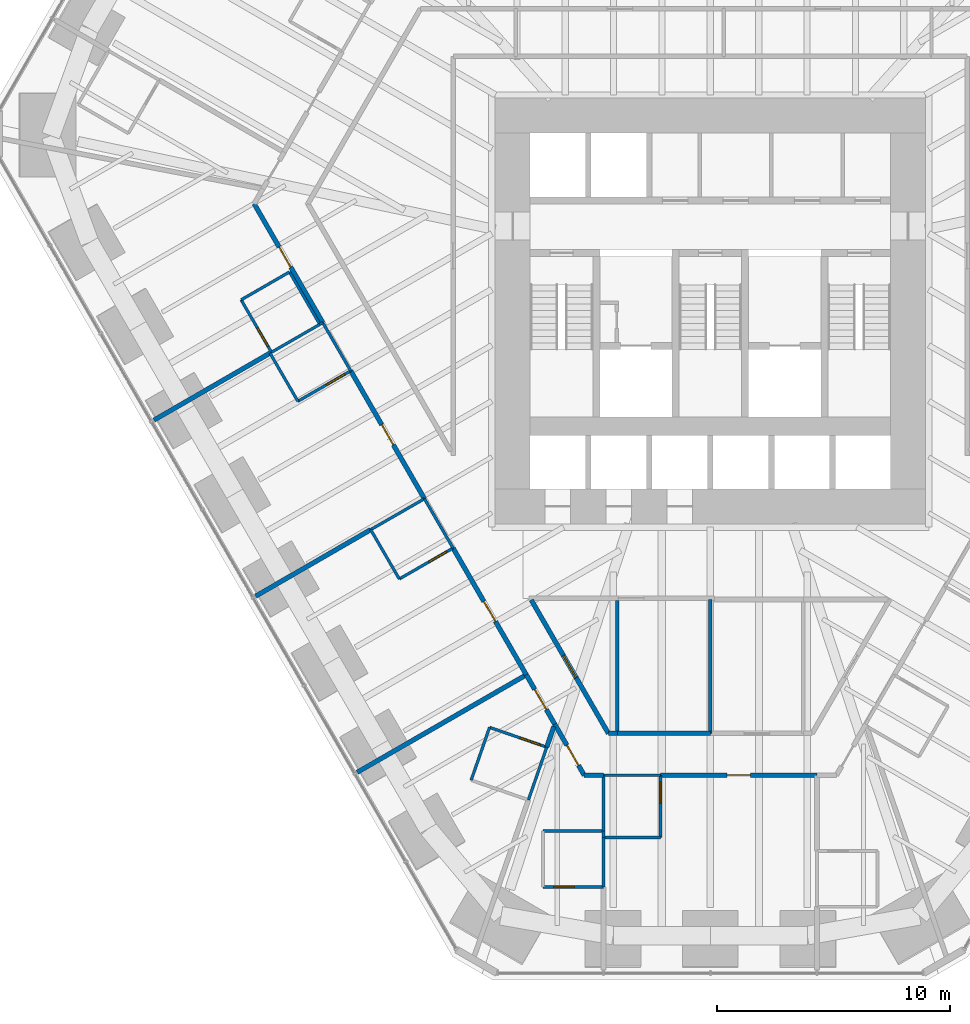
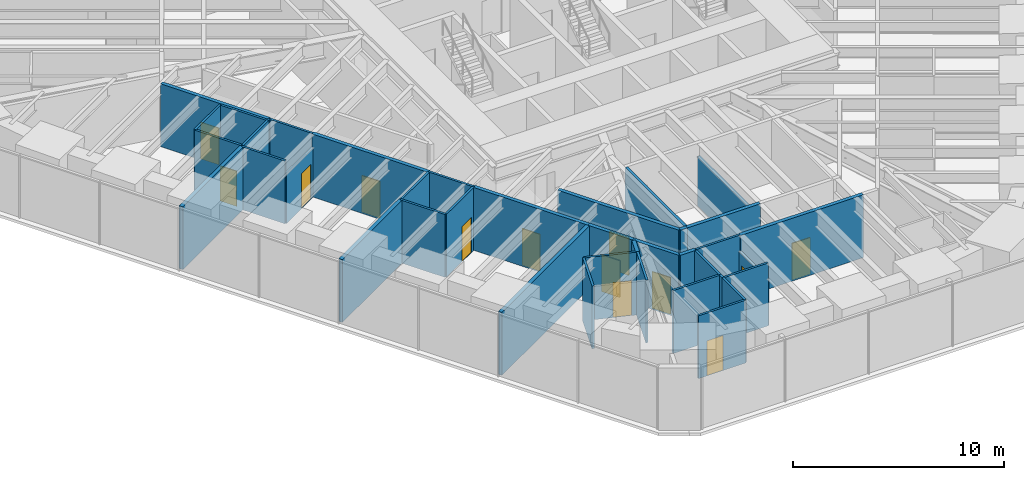
# One storey, part 11 of 17: 39 walls, 13 doors, 13 openings.
"""IFC4 building model written with IfcOpenShell, lengths in metres."""

from ifc_helpers import new_model, si_unit, direction, frame, frame_2d, origin, place, context, subcontext, project, spatial, rectangle, extrude, material, layer, layer_set, type_object, element, fill, save


model = new_model("IFC4")

# Units and contexts
model_context = context("Model", 3, precision=1e-05, world=origin(), true_north=direction((0.0, 1.0)))
body_context = subcontext(model_context, "Body", "Model", "MODEL_VIEW")
ifc_project = project(units=[si_unit("LENGTHUNIT", "METRE"), si_unit("AREAUNIT", "SQUARE_METRE"), si_unit("VOLUMEUNIT", "CUBIC_METRE"), si_unit("PLANEANGLEUNIT", "RADIAN"), si_unit("MASSUNIT", "GRAM", prefix="KILO")], contexts=[model_context])

# Site, building, storey
site_placement = place(None, origin())
site = spatial("IfcSite", under=ifc_project, at=site_placement, CompositionType="ELEMENT")
building_placement = place(site_placement, origin())
building = spatial("IfcBuilding", under=site, at=building_placement, Name="Sandreach Pilgrim Tower", CompositionType="ELEMENT")
storey_placement = place(building_placement, frame((0.0, 0.0, 61.0)))
storey = spatial("IfcBuildingStorey", under=building, at=storey_placement, Name="L14", CompositionType="ELEMENT", Elevation=61.0)

# Walls
ifc_material_1 = material(Name="Gypsum board on steel studs", Category="steel")
ifc_layer_1 = layer(ifc_material_1, 0.14990234375)
ifc_layer_set_1 = layer_set([ifc_layer_1], Name="Back of house wall 150")
wall_type_1 = type_object("IfcWallType", Name="Back of house wall 150", PredefinedType="PARTITIONING", material=ifc_layer_set_1)
wall_1_placement = place(storey_placement, frame((-4.0, -14.0, 0.0), z_axis=(0.0, 0.0, 1.0), x_axis=(0.0, -1.0, 0.0)))
element("IfcWall", 1, at=wall_1_placement, inside=storey, type_object=wall_type_1, Name="Back of house wall L14-078", PredefinedType="PARTITIONING", context=body_context, shape_type="SweptSolid", body=[
    extrude(rectangle(XDim=5.7099609375, YDim=0.14990234375, at=frame_2d((2.85498046875, 0.0))), origin(), (0.0, 0.0, 1.0), 3.639892578125),
])
wall_2_placement = place(storey_placement, frame((0.0, -13.949951171875, 0.0), z_axis=(0.0, 0.0, 1.0), x_axis=(0.0, -1.0, 0.0)))
element("IfcWall", 2, at=wall_2_placement, inside=storey, type_object=wall_type_1, Name="Back of house wall L14-086", PredefinedType="PARTITIONING", context=body_context, shape_type="SweptSolid", body=[
    extrude(rectangle(XDim=5.760009765625, YDim=0.14990234375, at=frame_2d((2.8798828125, 0.0))), origin(), (0.0, 0.0, 1.0), 2.860107421875),
])

# Wall, opening, door
ifc_material_2 = material(Name="Moisture-resistant gypsum board on steel studs", Category="steel")
ifc_layer_2 = layer(ifc_material_2, 0.1201171875)
ifc_layer_set_2 = layer_set([ifc_layer_2], Name="Bathroom partition 120")
wall_type_2 = type_object("IfcWallType", Name="Bathroom partition 120", PredefinedType="PARTITIONING", material=ifc_layer_set_2)
wall_3_placement = place(storey_placement, frame((-20.169921875, -1.070068359375, 0.0), z_axis=(0.0, 0.0, 1.0), x_axis=(0.500291685314, -0.865856933682, 0.0)))
wall_3 = element("IfcWall", 3, at=wall_3_placement, inside=storey, type_object=wall_type_2, Name="Bathroom partition L14-011", PredefinedType="PARTITIONING", context=body_context, shape_type="SweptSolid", body=[
    extrude(rectangle(XDim=2.5986328125, YDim=0.1201171875, at=frame_2d((1.29931640625, 0.0))), origin(), (0.0, 0.0, 1.0), 3.639892578125),
])
opening_1_placement = place(wall_3_placement, frame((1.398681640625, 0.0, 0.0)))
opening_1 = element("IfcOpeningElement", 4, at=opening_1_placement, cuts=wall_3, Name="Opening D09-17B", PredefinedType="OPENING", context=body_context, shape_type="SweptSolid", body=[
    extrude(rectangle(XDim=0.89990234375, YDim=2.030029296875, at=frame_2d((0.449951171875, 1.01513671875))), frame((0.0, 0.06005859375, 0.0), z_axis=(0.0, -1.0, 0.0), x_axis=(1.0, 0.0, 0.0)), (0.0, 0.0, 1.0), 0.1201171875),
])
ifc_material_3 = material(Name="Timber door, steel frame", Category="steel")
door_type_1 = type_object("IfcDoorType", Name="Bathroom door", OperationType="SINGLE_SWING_LEFT", PredefinedType="DOOR", material=ifc_material_3)
door_1_placement = place(opening_1_placement, origin())
door_1 = element("IfcDoor", 5, at=door_1_placement, inside=storey, type_object=door_type_1, Name="Door 1417B", OperationType="SINGLE_SWING_RIGHT", OverallHeight=2.030029296875, OverallWidth=0.89990234375, PredefinedType="DOOR", context=body_context, shape_type="SweptSolid", body=[
    extrude(rectangle(XDim=0.89990234375, YDim=2.030029296875, at=frame_2d((0.449951171875, 1.01513671875))), frame((0.0, 0.02490234375, 0.0), z_axis=(0.0, -1.0, 0.0), x_axis=(1.0, 0.0, 0.0)), (0.0, 0.0, 1.0), 0.050048828125),
])
fill(opening_1, door_1)

# Walls
wall_4_placement = place(storey_placement, frame((-18.929931640625, -3.360107421875, 0.0), z_axis=(0.0, 0.0, 1.0), x_axis=(0.501547039172, -0.865130376012, 0.0)))
element("IfcWall", 6, at=wall_4_placement, inside=storey, type_object=wall_type_2, Name="Bathroom partition L14-015", PredefinedType="PARTITIONING", context=body_context, shape_type="SweptSolid", body=[
    extrude(rectangle(XDim=2.392578125, YDim=0.1201171875, at=frame_2d((1.1962890625, 0.0))), origin(), (0.0, 0.0, 1.0), 3.639892578125),
])
wall_5_placement = place(storey_placement, frame((-18.86767578125, -3.323974609375, 0.0), z_axis=(0.0, 0.0, 1.0), x_axis=(0.866133109688, 0.499813401482, 0.0)))
element("IfcWall", 7, at=wall_5_placement, inside=storey, type_object=wall_type_2, Name="Bathroom partition L14-016", PredefinedType="PARTITIONING", context=body_context, shape_type="SweptSolid", body=[
    extrude(rectangle(XDim=2.4013671875, YDim=0.1201171875, at=frame_2d((1.20068359375, 0.0))), origin(), (0.0, 0.0, 1.0), 3.639892578125),
])
wall_6_placement = place(storey_placement, frame((-18.090087890625, 0.1298828125, 0.0), z_axis=(0.0, 0.0, 1.0), x_axis=(-0.866177122335, -0.499737123639, 0.0)))
element("IfcWall", 8, at=wall_6_placement, inside=storey, type_object=wall_type_2, Name="Bathroom partition L14-019", PredefinedType="PARTITIONING", context=body_context, shape_type="SweptSolid", body=[
    extrude(rectangle(XDim=2.401123046875, YDim=0.1201171875, at=frame_2d((1.20068359375, 0.0))), origin(), (0.0, 0.0, 1.0), 3.639892578125),
])

# Wall, opening, door
wall_7_placement = place(storey_placement, frame((-17.72998046875, -5.429931640625, 0.0), z_axis=(0.0, 0.0, 1.0), x_axis=(0.866114241029, 0.499846097802, 0.0)))
wall_7 = element("IfcWall", 9, at=wall_7_placement, inside=storey, type_object=wall_type_2, Name="Bathroom partition L14-021", PredefinedType="PARTITIONING", context=body_context, shape_type="SweptSolid", body=[
    extrude(rectangle(XDim=2.620849609375, YDim=0.1201171875, at=frame_2d((1.310546875, 0.0))), origin(), (0.0, 0.0, 1.0), 2.8779296875),
])
opening_2_placement = place(wall_7_placement, frame((1.4208984375, 0.0, 0.0)))
opening_2 = element("IfcOpeningElement", 10, at=opening_2_placement, cuts=wall_7, Name="Opening D09-16B", PredefinedType="OPENING", context=body_context, shape_type="SweptSolid", body=[
    extrude(rectangle(XDim=0.89990234375, YDim=2.030029296875, at=frame_2d((0.449951171875, 1.01513671875))), frame((0.0, 0.06005859375, 0.0), z_axis=(0.0, -1.0, 0.0), x_axis=(1.0, 0.0, 0.0)), (0.0, 0.0, 1.0), 0.1201171875),
])
door_2_placement = place(opening_2_placement, origin())
door_2 = element("IfcDoor", 11, at=door_2_placement, inside=storey, type_object=door_type_1, Name="Door 1416B", OperationType="SINGLE_SWING_RIGHT", OverallHeight=2.030029296875, OverallWidth=0.89990234375, PredefinedType="DOOR", context=body_context, shape_type="SweptSolid", body=[
    extrude(rectangle(XDim=0.89990234375, YDim=2.030029296875, at=frame_2d((0.449951171875, 1.01513671875))), frame((0.0, 0.02490234375, 0.0), z_axis=(0.0, -1.0, 0.0), x_axis=(1.0, 0.0, 0.0)), (0.0, 0.0, 1.0), 0.050048828125),
])
fill(opening_2, door_2)

# Walls
wall_8_placement = place(storey_placement, frame((-16.7900390625, -2.1201171875, 0.0), z_axis=(0.0, 0.0, 1.0), x_axis=(-0.50025099007, 0.865880446098, 0.0)))
element("IfcWall", 12, at=wall_8_placement, inside=storey, type_object=wall_type_2, Name="Bathroom partition L14-026", PredefinedType="PARTITIONING", context=body_context, shape_type="SweptSolid", body=[
    extrude(rectangle(XDim=2.598876953125, YDim=0.1201171875, at=frame_2d((1.29931640625, 0.0))), origin(), (0.0, 0.0, 1.0), 3.639892578125),
])
wall_9_placement = place(storey_placement, frame((-16.787841796875, -2.123779296875, 0.0), z_axis=(0.0, 0.0, 1.0), x_axis=(0.866405716731, 0.499340699338, 0.0)))
element("IfcWall", 13, at=wall_9_placement, inside=storey, type_object=wall_type_2, Name="Bathroom partition L14-027", PredefinedType="PARTITIONING", context=body_context, shape_type="SweptSolid", body=[
    extrude(rectangle(XDim=0.147705078125, YDim=0.1201171875, at=frame_2d((0.07373046875, 0.0))), origin(), (0.0, 0.0, 1.0), 3.639892578125),
])
wall_10_placement = place(storey_placement, frame((-16.659912109375, -2.050048828125, 0.0), z_axis=(0.0, 0.0, 1.0), x_axis=(0.501502765098, -0.865156041763, 0.0)))
element("IfcWall", 14, at=wall_10_placement, inside=storey, type_object=wall_type_2, Name="Bathroom partition L14-028", PredefinedType="PARTITIONING", context=body_context, shape_type="SweptSolid", body=[
    extrude(rectangle(XDim=2.392822265625, YDim=0.1201171875, at=frame_2d((1.1962890625, 0.0))), origin(), (0.0, 0.0, 1.0), 3.639892578125),
])
wall_11_placement = place(storey_placement, frame((-14.60009765625, -10.949951171875, 0.0), z_axis=(0.0, 0.0, 1.0), x_axis=(0.501888006485, -0.864932615264, 0.0)))
element("IfcWall", 15, at=wall_11_placement, inside=storey, type_object=wall_type_2, Name="Bathroom partition L14-036", PredefinedType="PARTITIONING", context=body_context, shape_type="SweptSolid", body=[
    extrude(rectangle(XDim=2.451171875, YDim=0.1201171875, at=frame_2d((1.2255859375, 0.0))), origin(), (0.0, 0.0, 1.0), 3.639892578125),
])
wall_12_placement = place(storey_placement, frame((-14.60009765625, -10.949951171875, 0.0), z_axis=(0.0, 0.0, 1.0), x_axis=(0.866654860089, 0.498908161372, 0.0)))
element("IfcWall", 16, at=wall_12_placement, inside=storey, type_object=wall_type_2, Name="Bathroom partition L14-037", PredefinedType="PARTITIONING", context=body_context, shape_type="SweptSolid", body=[
    extrude(rectangle(XDim=2.66552734375, YDim=0.1201171875, at=frame_2d((1.332763671875, 0.0))), origin(), (0.0, 0.0, 1.0), 3.639892578125),
])

# Wall, opening, door
wall_13_placement = place(storey_placement, frame((-13.3701171875, -13.070068359375, 0.0), z_axis=(0.0, 0.0, 1.0), x_axis=(0.866615255992, 0.498976951453, 0.0)))
wall_13 = element("IfcWall", 17, at=wall_13_placement, inside=storey, type_object=wall_type_2, Name="Bathroom partition L14-040", PredefinedType="PARTITIONING", context=body_context, shape_type="SweptSolid", body=[
    extrude(rectangle(XDim=2.66552734375, YDim=0.1201171875, at=frame_2d((1.332763671875, 0.0))), origin(), (0.0, 0.0, 1.0), 3.639892578125),
])
opening_3_placement = place(wall_13_placement, frame((1.465576171875, 0.0, 0.0)))
opening_3 = element("IfcOpeningElement", 18, at=opening_3_placement, cuts=wall_13, Name="Opening D09-15B", PredefinedType="OPENING", context=body_context, shape_type="SweptSolid", body=[
    extrude(rectangle(XDim=0.89990234375, YDim=2.030029296875, at=frame_2d((0.449951171875, 1.01513671875))), frame((0.0, 0.06005859375, 0.0), z_axis=(0.0, -1.0, 0.0), x_axis=(1.0, 0.0, 0.0)), (0.0, 0.0, 1.0), 0.1201171875),
])
door_3_placement = place(opening_3_placement, origin())
door_3 = element("IfcDoor", 19, at=door_3_placement, inside=storey, type_object=door_type_1, Name="Door 1415B", OperationType="SINGLE_SWING_RIGHT", OverallHeight=2.030029296875, OverallWidth=0.89990234375, PredefinedType="DOOR", context=body_context, shape_type="SweptSolid", body=[
    extrude(rectangle(XDim=0.89990234375, YDim=2.030029296875, at=frame_2d((0.449951171875, 1.01513671875))), frame((0.0, 0.02490234375, 0.0), z_axis=(0.0, -1.0, 0.0), x_axis=(1.0, 0.0, 0.0)), (0.0, 0.0, 1.0), 0.050048828125),
])
fill(opening_3, door_3)

# Walls
wall_14_placement = place(storey_placement, frame((-12.290283203125, -9.6201171875, 0.0), z_axis=(0.0, 0.0, 1.0), x_axis=(0.501931246184, -0.864907523441, 0.0)))
element("IfcWall", 20, at=wall_14_placement, inside=storey, type_object=wall_type_2, Name="Bathroom partition L14-044", PredefinedType="PARTITIONING", context=body_context, shape_type="SweptSolid", body=[
    extrude(rectangle(XDim=2.450927734375, YDim=0.1201171875, at=frame_2d((1.2255859375, 0.0))), origin(), (0.0, 0.0, 1.0), 3.639892578125),
])
for number, where, z_axis, x_axis, name in (
    (21, (-9.489990234375, -19.449951171875, 0.0), (0.0, 0.0, 1.0), (-0.328693963496, -0.944436487203, 0.0), "Bathroom partition L14-053"),
    (22, (-7.820068359375, -22.570068359375, 0.0), (0.0, 0.0, 1.0), (0.328693963496, 0.944436487203, 0.0), "Bathroom partition L14-060"),
):
    element("IfcWall", number, at=place(storey_placement, frame(where, z_axis=z_axis, x_axis=x_axis)), inside=storey, type_object=wall_type_2, Name=name, PredefinedType="PARTITIONING", context=body_context, shape_type="SweptSolid", body=[
        extrude(rectangle(XDim=2.403564453125, YDim=0.1201171875, at=frame_2d((1.20166015625, 0.0))), origin(), (0.0, 0.0, 1.0), 3.639892578125),
    ])

# Wall, opening, door
wall_15_placement = place(storey_placement, frame((-7.18994140625, -26.31005859375, 0.0), z_axis=(0.0, 0.0, 1.0), x_axis=(1.0, 0.0, 0.0)))
wall_15 = element("IfcWall", 23, at=wall_15_placement, inside=storey, type_object=wall_type_2, Name="Bathroom partition L14-061", PredefinedType="PARTITIONING", context=body_context, shape_type="SweptSolid", body=[
    extrude(rectangle(XDim=2.599853515625, YDim=0.1201171875, at=frame_2d((1.2998046875, 0.0))), origin(), (0.0, 0.0, 1.0), 3.639892578125),
])
opening_4_placement = place(wall_15_placement, frame((0.449951171875, 0.0, 0.0)))
opening_4 = element("IfcOpeningElement", 24, at=opening_4_placement, cuts=wall_15, Name="Opening D09-13B", PredefinedType="OPENING", context=body_context, shape_type="SweptSolid", body=[
    extrude(rectangle(XDim=0.89990234375, YDim=2.030029296875, at=frame_2d((0.449951171875, 1.01513671875))), frame((0.0, 0.06005859375, 0.0), z_axis=(0.0, -1.0, 0.0), x_axis=(1.0, 0.0, 0.0)), (0.0, 0.0, 1.0), 0.1201171875),
])
door_4_placement = place(opening_4_placement, origin())
door_4 = element("IfcDoor", 25, at=door_4_placement, inside=storey, type_object=door_type_1, Name="Door 1413B", OperationType="SINGLE_SWING_LEFT", OverallHeight=2.030029296875, OverallWidth=0.89990234375, PredefinedType="DOOR", context=body_context, shape_type="SweptSolid", body=[
    extrude(rectangle(XDim=0.89990234375, YDim=2.030029296875, at=frame_2d((0.449951171875, 1.01513671875))), frame((0.0, 0.02490234375, 0.0), z_axis=(0.0, -1.0, 0.0), x_axis=(1.0, 0.0, 0.0)), (0.0, 0.0, 1.0), 0.050048828125),
])
fill(opening_4, door_4)

wall_16_placement = place(storey_placement, frame((-7.030029296875, -20.300048828125, 0.0), z_axis=(0.0, 0.0, 1.0), x_axis=(-0.94515546045, 0.326620813149, 0.0)))
wall_16 = element("IfcWall", 26, at=wall_16_placement, inside=storey, type_object=wall_type_2, Name="Bathroom partition L14-063", PredefinedType="PARTITIONING", context=body_context, shape_type="SweptSolid", body=[
    extrude(rectangle(XDim=2.602783203125, YDim=0.1201171875, at=frame_2d((1.30126953125, 0.0))), origin(), (0.0, 0.0, 1.0), 3.639892578125),
])
opening_5_placement = place(wall_16_placement, frame((0.300048828125, 0.0, 0.0)))
opening_5 = element("IfcOpeningElement", 27, at=opening_5_placement, cuts=wall_16, Name="Opening D09-14B", PredefinedType="OPENING", context=body_context, shape_type="SweptSolid", body=[
    extrude(rectangle(XDim=0.89990234375, YDim=2.030029296875, at=frame_2d((0.449951171875, 1.01513671875))), frame((0.0, 0.06005859375, 0.0), z_axis=(0.0, -1.0, 0.0), x_axis=(1.0, 0.0, 0.0)), (0.0, 0.0, 1.0), 0.1201171875),
])
door_5_placement = place(opening_5_placement, origin())
door_5 = element("IfcDoor", 28, at=door_5_placement, inside=storey, type_object=door_type_1, Name="Door 1414B", OperationType="SINGLE_SWING_LEFT", OverallHeight=2.030029296875, OverallWidth=0.89990234375, PredefinedType="DOOR", context=body_context, shape_type="SweptSolid", body=[
    extrude(rectangle(XDim=0.89990234375, YDim=2.030029296875, at=frame_2d((0.449951171875, 1.01513671875))), frame((0.0, 0.02490234375, 0.0), z_axis=(0.0, -1.0, 0.0), x_axis=(1.0, 0.0, 0.0)), (0.0, 0.0, 1.0), 0.050048828125),
])
fill(opening_5, door_5)

# Walls
wall_17_placement = place(storey_placement, frame((-4.590087890625, -26.31005859375, 0.0), z_axis=(0.0, 0.0, 1.0), x_axis=(0.0, 1.0, 0.0)))
element("IfcWall", 29, at=wall_17_placement, inside=storey, type_object=wall_type_2, Name="Bathroom partition L14-070", PredefinedType="PARTITIONING", context=body_context, shape_type="SweptSolid", body=[
    extrude(rectangle(XDim=2.130126953125, YDim=0.1201171875, at=frame_2d((1.06494140625, 0.0))), origin(), (0.0, 0.0, 1.0), 3.639892578125),
])
wall_18_placement = place(storey_placement, frame((-4.590087890625, -24.179931640625, 0.0), z_axis=(0.0, 0.0, 1.0), x_axis=(0.0, 1.0, 0.0)))
element("IfcWall", 30, at=wall_18_placement, inside=storey, type_object=wall_type_2, Name="Bathroom partition L14-071", PredefinedType="PARTITIONING", context=body_context, shape_type="SweptSolid", body=[
    extrude(rectangle(XDim=0.27001953125, YDim=0.1201171875, at=frame_2d((0.135009765625, 0.0))), origin(), (0.0, 0.0, 1.0), 3.639892578125),
])
wall_19_placement = place(storey_placement, frame((-4.590087890625, -24.179931640625, 0.0), z_axis=(0.0, 0.0, 1.0), x_axis=(1.0, 0.0, 0.0)))
element("IfcWall", 31, at=wall_19_placement, inside=storey, type_object=wall_type_2, Name="Bathroom partition L14-072", PredefinedType="PARTITIONING", context=body_context, shape_type="SweptSolid", body=[
    extrude(rectangle(XDim=2.4501953125, YDim=0.1201171875, at=frame_2d((1.22509765625, 0.0))), origin(), (0.0, 0.0, 1.0), 3.639892578125),
])
wall_20_placement = place(storey_placement, frame((-4.590087890625, -23.909912109375, 0.0), z_axis=(0.0, 0.0, 1.0), x_axis=(-1.0, 0.0, 0.0)))
element("IfcWall", 32, at=wall_20_placement, inside=storey, type_object=wall_type_2, Name="Bathroom partition L14-073", PredefinedType="PARTITIONING", context=body_context, shape_type="SweptSolid", body=[
    extrude(rectangle(XDim=2.599853515625, YDim=0.1201171875, at=frame_2d((1.2998046875, 0.0))), origin(), (0.0, 0.0, 1.0), 3.639892578125),
])
wall_21_placement = place(storey_placement, frame((-4.590087890625, -23.909912109375, 0.0), z_axis=(0.0, 0.0, 1.0), x_axis=(0.0, 1.0, 0.0)))
element("IfcWall", 33, at=wall_21_placement, inside=storey, type_object=wall_type_2, Name="Bathroom partition L14-074", PredefinedType="PARTITIONING", context=body_context, shape_type="SweptSolid", body=[
    extrude(rectangle(XDim=2.39990234375, YDim=0.1201171875, at=frame_2d((1.199951171875, 0.0))), origin(), (0.0, 0.0, 1.0), 3.639892578125),
])
wall_22_placement = place(storey_placement, frame((-4.590087890625, -21.510009765625, 0.0), z_axis=(0.0, 0.0, 1.0), x_axis=(1.0, 0.0, 0.0)))
element("IfcWall", 34, at=wall_22_placement, inside=storey, type_object=wall_type_2, Name="Bathroom partition L14-075", PredefinedType="PARTITIONING", context=body_context, shape_type="SweptSolid", body=[
    extrude(rectangle(XDim=2.4501953125, YDim=0.1201171875, at=frame_2d((1.22509765625, 0.0))), origin(), (0.0, 0.0, 1.0), 3.639892578125),
])

# Wall, opening, door
wall_23_placement = place(storey_placement, frame((-2.139892578125, -24.179931640625, 0.0), z_axis=(0.0, 0.0, 1.0), x_axis=(0.0, 1.0, 0.0)))
wall_23 = element("IfcWall", 35, at=wall_23_placement, inside=storey, type_object=wall_type_2, Name="Bathroom partition L14-083", PredefinedType="PARTITIONING", context=body_context, shape_type="SweptSolid", body=[
    extrude(rectangle(XDim=2.669921875, YDim=0.1201171875, at=frame_2d((1.3349609375, 0.0))), origin(), (0.0, 0.0, 1.0), 2.7255859375),
])
opening_6_placement = place(wall_23_placement, frame((1.469970703125, 0.0, 0.0)))
opening_6 = element("IfcOpeningElement", 36, at=opening_6_placement, cuts=wall_23, Name="Opening D09-12B", PredefinedType="OPENING", context=body_context, shape_type="SweptSolid", body=[
    extrude(rectangle(XDim=0.89990234375, YDim=2.030029296875, at=frame_2d((0.449951171875, 1.01513671875))), frame((0.0, 0.06005859375, 0.0), z_axis=(0.0, -1.0, 0.0), x_axis=(1.0, 0.0, 0.0)), (0.0, 0.0, 1.0), 0.1201171875),
])
door_6_placement = place(opening_6_placement, origin())
door_6 = element("IfcDoor", 37, at=door_6_placement, inside=storey, type_object=door_type_1, Name="Door 1412B", OperationType="SINGLE_SWING_RIGHT", OverallHeight=2.030029296875, OverallWidth=0.89990234375, PredefinedType="DOOR", context=body_context, shape_type="SweptSolid", body=[
    extrude(rectangle(XDim=0.89990234375, YDim=2.030029296875, at=frame_2d((0.449951171875, 1.01513671875))), frame((0.0, 0.02490234375, 0.0), z_axis=(0.0, -1.0, 0.0), x_axis=(1.0, 0.0, 0.0)), (0.0, 0.0, 1.0), 0.050048828125),
])
fill(opening_6, door_6)

ifc_material_4 = material(Name="Gypsum board on steel studs, two layers each side", Category="steel")
ifc_layer_3 = layer(ifc_material_4, 0.199951171875)
ifc_layer_set_3 = layer_set([ifc_layer_3], Name="Corridor wall 200")
wall_type_3 = type_object("IfcWallType", Name="Corridor wall 200", PredefinedType="PARTITIONING", material=ifc_layer_set_3)
wall_24_placement = place(storey_placement, frame((-19.610107421875, 3.06005859375, 0.0), z_axis=(0.0, 0.0, 1.0), x_axis=(0.499983910424, -0.866034692906, 0.0)))
wall_24 = element("IfcWall", 38, at=wall_24_placement, inside=storey, type_object=wall_type_3, Name="Corridor wall L14-013", PredefinedType="PARTITIONING", context=body_context, shape_type="SweptSolid", body=[
    extrude(rectangle(XDim=5.900634765625, YDim=0.199951171875, at=frame_2d((2.9501953125, 0.0))), origin(), (0.0, 0.0, 1.0), 3.639892578125),
])
opening_7_placement = place(wall_24_placement, frame((2.14990234375, 0.0, 0.0)))
opening_7 = element("IfcOpeningElement", 39, at=opening_7_placement, cuts=wall_24, Name="Opening D10-17", PredefinedType="OPENING", context=body_context, shape_type="SweptSolid", body=[
    extrude(rectangle(XDim=1.0, YDim=2.1298828125, at=frame_2d((0.5, 1.06494140625))), frame((0.0, 0.10009765625, 0.0), z_axis=(0.0, -1.0, 0.0), x_axis=(1.0, 0.0, 0.0)), (0.0, 0.0, 1.0), 0.199951171875),
])
ifc_material_5 = material(Name="Steel door and frame", Category="steel")
door_type_2 = type_object("IfcDoorType", Name="Guest room entry door", OperationType="SINGLE_SWING_LEFT", PredefinedType="DOOR", material=ifc_material_5)
door_7_placement = place(opening_7_placement, origin())
door_7 = element("IfcDoor", 40, at=door_7_placement, inside=storey, type_object=door_type_2, Name="Door 1417", OperationType="SINGLE_SWING_LEFT", OverallHeight=2.1298828125, OverallWidth=1.0, PredefinedType="DOOR", context=body_context, shape_type="SweptSolid", body=[
    extrude(rectangle(XDim=1.0, YDim=2.1298828125, at=frame_2d((0.5, 1.06494140625))), frame((0.0, 0.02490234375, 0.0), z_axis=(0.0, -1.0, 0.0), x_axis=(1.0, 0.0, 0.0)), (0.0, 0.0, 1.0), 0.050048828125),
])
fill(opening_7, door_7)

wall_25_placement = place(storey_placement, frame((-15.4599609375, -4.1201171875, 0.0), z_axis=(0.0, 0.0, 1.0), x_axis=(0.499320644457, -0.866417274769, 0.0)))
wall_25 = element("IfcWall", 41, at=wall_25_placement, inside=storey, type_object=wall_type_3, Name="Corridor wall L14-033", PredefinedType="PARTITIONING", context=body_context, shape_type="SweptSolid", body=[
    extrude(rectangle(XDim=6.347900390625, YDim=0.199951171875, at=frame_2d((3.173828125, 0.0))), origin(), (0.0, 0.0, 1.0), 3.639892578125),
])
opening_8_placement = place(wall_25_placement, frame((2.674072265625, 0.0, 0.0)))
opening_8 = element("IfcOpeningElement", 42, at=opening_8_placement, cuts=wall_25, Name="Opening D10-16", PredefinedType="OPENING", context=body_context, shape_type="SweptSolid", body=[
    extrude(rectangle(XDim=1.0, YDim=2.1298828125, at=frame_2d((0.5, 1.06494140625))), frame((0.0, 0.10009765625, 0.0), z_axis=(0.0, -1.0, 0.0), x_axis=(1.0, 0.0, 0.0)), (0.0, 0.0, 1.0), 0.199951171875),
])
door_8_placement = place(opening_8_placement, origin())
door_8 = element("IfcDoor", 43, at=door_8_placement, inside=storey, type_object=door_type_2, Name="Door 1416", OperationType="SINGLE_SWING_LEFT", OverallHeight=2.1298828125, OverallWidth=1.0, PredefinedType="DOOR", context=body_context, shape_type="SweptSolid", body=[
    extrude(rectangle(XDim=1.0, YDim=2.1298828125, at=frame_2d((0.5, 1.06494140625))), frame((0.0, 0.02490234375, 0.0), z_axis=(0.0, -1.0, 0.0), x_axis=(1.0, 0.0, 0.0)), (0.0, 0.0, 1.0), 0.050048828125),
])
fill(opening_8, door_8)

wall_26_placement = place(storey_placement, frame((-11.06005859375, -11.739990234375, 0.0), z_axis=(0.0, 0.0, 1.0), x_axis=(0.50043073037, -0.865776578628, 0.0)))
wall_26 = element("IfcWall", 44, at=wall_26_placement, inside=storey, type_object=wall_type_3, Name="Corridor wall L14-048", PredefinedType="PARTITIONING", context=body_context, shape_type="SweptSolid", body=[
    extrude(rectangle(XDim=6.294921875, YDim=0.199951171875, at=frame_2d((3.1474609375, 0.0))), origin(), (0.0, 0.0, 1.0), 3.639892578125),
])
opening_9_placement = place(wall_26_placement, frame((2.6474609375, 0.0, 0.0)))
opening_9 = element("IfcOpeningElement", 45, at=opening_9_placement, cuts=wall_26, Name="Opening D10-15", PredefinedType="OPENING", context=body_context, shape_type="SweptSolid", body=[
    extrude(rectangle(XDim=1.0, YDim=2.1298828125, at=frame_2d((0.5, 1.06494140625))), frame((0.0, 0.10009765625, 0.0), z_axis=(0.0, -1.0, 0.0), x_axis=(1.0, 0.0, 0.0)), (0.0, 0.0, 1.0), 0.199951171875),
])
door_9_placement = place(opening_9_placement, origin())
door_9 = element("IfcDoor", 46, at=door_9_placement, inside=storey, type_object=door_type_2, Name="Door 1415", OperationType="SINGLE_SWING_LEFT", OverallHeight=2.1298828125, OverallWidth=1.0, PredefinedType="DOOR", context=body_context, shape_type="SweptSolid", body=[
    extrude(rectangle(XDim=1.0, YDim=2.1298828125, at=frame_2d((0.5, 1.06494140625))), frame((0.0, 0.02490234375, 0.0), z_axis=(0.0, -1.0, 0.0), x_axis=(1.0, 0.0, 0.0)), (0.0, 0.0, 1.0), 0.050048828125),
])
fill(opening_9, door_9)

wall_27_placement = place(storey_placement, frame((-7.909912109375, -17.18994140625, 0.0), z_axis=(0.0, 0.0, 1.0), x_axis=(0.498748634132, -0.866746675766, 0.0)))
wall_27 = element("IfcWall", 47, at=wall_27_placement, inside=storey, type_object=wall_type_3, Name="Corridor wall L14-059", PredefinedType="PARTITIONING", context=body_context, shape_type="SweptSolid", body=[
    extrude(rectangle(XDim=2.446044921875, YDim=0.199951171875, at=frame_2d((1.22314453125, 0.0))), origin(), (0.0, 0.0, 1.0), 3.639892578125),
])
opening_10_placement = place(wall_27_placement, frame((0.722900390625, 0.0, 0.0)))
opening_10 = element("IfcOpeningElement", 48, at=opening_10_placement, cuts=wall_27, Name="Opening D10-14", PredefinedType="OPENING", context=body_context, shape_type="SweptSolid", body=[
    extrude(rectangle(XDim=1.0, YDim=2.1298828125, at=frame_2d((0.5, 1.06494140625))), frame((0.0, 0.10009765625, 0.0), z_axis=(0.0, -1.0, 0.0), x_axis=(1.0, 0.0, 0.0)), (0.0, 0.0, 1.0), 0.199951171875),
])
door_10_placement = place(opening_10_placement, origin())
door_10 = element("IfcDoor", 49, at=door_10_placement, inside=storey, type_object=door_type_2, Name="Door 1414", OperationType="SINGLE_SWING_LEFT", OverallHeight=2.1298828125, OverallWidth=1.0, PredefinedType="DOOR", context=body_context, shape_type="SweptSolid", body=[
    extrude(rectangle(XDim=1.0, YDim=2.1298828125, at=frame_2d((0.5, 1.06494140625))), frame((0.0, 0.02490234375, 0.0), z_axis=(0.0, -1.0, 0.0), x_axis=(1.0, 0.0, 0.0)), (0.0, 0.0, 1.0), 0.050048828125),
])
fill(opening_10, door_10)

wall_28_placement = place(storey_placement, frame((-6.68994140625, -19.31005859375, 0.0), z_axis=(0.0, 0.0, 1.0), x_axis=(0.499963722229, -0.866046347752, 0.0)))
wall_28 = element("IfcWall", 50, at=wall_28_placement, inside=storey, type_object=wall_type_3, Name="Corridor wall L14-065", PredefinedType="PARTITIONING", context=body_context, shape_type="SweptSolid", body=[
    extrude(rectangle(XDim=2.540283203125, YDim=0.199951171875, at=frame_2d((1.27001953125, 0.0))), origin(), (0.0, 0.0, 1.0), 3.639892578125),
])
opening_11_placement = place(wall_28_placement, frame((1.050048828125, 0.0, 0.0)))
opening_11 = element("IfcOpeningElement", 51, at=opening_11_placement, cuts=wall_28, Name="Opening D10-13", PredefinedType="OPENING", context=body_context, shape_type="SweptSolid", body=[
    extrude(rectangle(XDim=1.0, YDim=2.1298828125, at=frame_2d((0.5, 1.06494140625))), frame((0.0, 0.10009765625, 0.0), z_axis=(0.0, -1.0, 0.0), x_axis=(1.0, 0.0, 0.0)), (0.0, 0.0, 1.0), 0.199951171875),
])
door_11_placement = place(opening_11_placement, origin())
door_11 = element("IfcDoor", 52, at=door_11_placement, inside=storey, type_object=door_type_2, Name="Door 1413", OperationType="SINGLE_SWING_RIGHT", OverallHeight=2.1298828125, OverallWidth=1.0, PredefinedType="DOOR", context=body_context, shape_type="SweptSolid", body=[
    extrude(rectangle(XDim=1.0, YDim=2.1298828125, at=frame_2d((0.5, 1.06494140625))), frame((0.0, 0.02490234375, 0.0), z_axis=(0.0, -1.0, 0.0), x_axis=(1.0, 0.0, 0.0)), (0.0, 0.0, 1.0), 0.050048828125),
])
fill(opening_11, door_11)

# Wall
wall_29_placement = place(storey_placement, frame((-5.419921875, -21.510009765625, 0.0), z_axis=(0.0, 0.0, 1.0), x_axis=(1.0, 0.0, 0.0)))
element("IfcWall", 53, at=wall_29_placement, inside=storey, type_object=wall_type_3, Name="Corridor wall L14-066", PredefinedType="PARTITIONING", context=body_context, shape_type="SweptSolid", body=[
    extrude(rectangle(XDim=0.829833984375, YDim=0.199951171875, at=frame_2d((0.4150390625, 0.0))), origin(), (0.0, 0.0, 1.0), 3.639892578125),
])

# Wall, opening, door
wall_30_placement = place(storey_placement, frame((-4.3798828125, -19.7099609375, 0.0), z_axis=(0.0, 0.0, 1.0), x_axis=(-0.500523653757, 0.865722860984, 0.0)))
wall_30 = element("IfcWall", 54, at=wall_30_placement, inside=storey, type_object=wall_type_3, Name="Corridor wall L14-076", PredefinedType="PARTITIONING", context=body_context, shape_type="SweptSolid", body=[
    extrude(rectangle(XDim=6.62841796875, YDim=0.199951171875, at=frame_2d((3.314208984375, 0.0))), origin(), (0.0, 0.0, 1.0), 3.639892578125),
])
opening_12_placement = place(wall_30_placement, frame((2.76416015625, 0.0, 0.0)))
opening_12 = element("IfcOpeningElement", 55, at=opening_12_placement, cuts=wall_30, Name="Opening D11H-S1", PredefinedType="OPENING", context=body_context, shape_type="SweptSolid", body=[
    extrude(rectangle(XDim=1.10009765625, YDim=2.199951171875, at=frame_2d((0.550048828125, 1.10009765625))), frame((0.0, 0.10009765625, 0.0), z_axis=(0.0, -1.0, 0.0), x_axis=(1.0, 0.0, 0.0)), (0.0, 0.0, 1.0), 0.199951171875),
])
ifc_material_6 = material(Name="Steel door and frame", Category="steel")
door_type_3 = type_object("IfcDoorType", Name="Back of house door", OperationType="SINGLE_SWING_LEFT", PredefinedType="DOOR", material=ifc_material_6)
door_12_placement = place(opening_12_placement, origin())
door_12 = element("IfcDoor", 56, at=door_12_placement, inside=storey, type_object=door_type_3, Name="Door 14S1", OperationType="SINGLE_SWING_LEFT", OverallHeight=2.199951171875, OverallWidth=1.10009765625, PredefinedType="DOOR", context=body_context, shape_type="SweptSolid", body=[
    extrude(rectangle(XDim=1.10009765625, YDim=2.199951171875, at=frame_2d((0.550048828125, 1.10009765625))), frame((0.0, 0.02490234375, 0.0), z_axis=(0.0, -1.0, 0.0), x_axis=(1.0, 0.0, 0.0)), (0.0, 0.0, 1.0), 0.050048828125),
])
fill(opening_12, door_12)

# Wall
wall_31_placement = place(storey_placement, frame((-4.0, -19.7099609375, 0.0), z_axis=(0.0, 0.0, 1.0), x_axis=(-1.0, 0.0, 0.0)))
element("IfcWall", 57, at=wall_31_placement, inside=storey, type_object=wall_type_3, Name="Corridor wall L14-077", PredefinedType="PARTITIONING", context=body_context, shape_type="SweptSolid", body=[
    extrude(rectangle(XDim=0.3798828125, YDim=0.199951171875, at=frame_2d((0.18994140625, 0.0))), origin(), (0.0, 0.0, 1.0), 3.639892578125),
])

# Wall, opening, door
wall_32_placement = place(storey_placement, frame((-2.139892578125, -21.510009765625, 0.0), z_axis=(0.0, 0.0, 1.0), x_axis=(1.0, 0.0, 0.0)))
wall_32 = element("IfcWall", 58, at=wall_32_placement, inside=storey, type_object=wall_type_3, Name="Corridor wall L14-084", PredefinedType="PARTITIONING", context=body_context, shape_type="SweptSolid", body=[
    extrude(rectangle(XDim=6.72998046875, YDim=0.199951171875, at=frame_2d((3.364990234375, 0.0))), origin(), (0.0, 0.0, 1.0), 3.639892578125),
])
opening_13_placement = place(wall_32_placement, frame((2.864990234375, 0.0, 0.0)))
opening_13 = element("IfcOpeningElement", 59, at=opening_13_placement, cuts=wall_32, Name="Opening D10-12", PredefinedType="OPENING", context=body_context, shape_type="SweptSolid", body=[
    extrude(rectangle(XDim=1.0, YDim=2.1298828125, at=frame_2d((0.5, 1.06494140625))), frame((0.0, 0.10009765625, 0.0), z_axis=(0.0, -1.0, 0.0), x_axis=(1.0, 0.0, 0.0)), (0.0, 0.0, 1.0), 0.199951171875),
])
door_13_placement = place(opening_13_placement, origin())
door_13 = element("IfcDoor", 60, at=door_13_placement, inside=storey, type_object=door_type_2, Name="Door 1412", OperationType="SINGLE_SWING_LEFT", OverallHeight=2.1298828125, OverallWidth=1.0, PredefinedType="DOOR", context=body_context, shape_type="SweptSolid", body=[
    extrude(rectangle(XDim=1.0, YDim=2.1298828125, at=frame_2d((0.5, 1.06494140625))), frame((0.0, 0.02490234375, 0.0), z_axis=(0.0, -1.0, 0.0), x_axis=(1.0, 0.0, 0.0)), (0.0, 0.0, 1.0), 0.050048828125),
])
fill(opening_13, door_13)

# Walls
wall_33_placement = place(storey_placement, frame((0.0, -19.7099609375, 0.0), z_axis=(0.0, 0.0, 1.0), x_axis=(-1.0, 0.0, 0.0)))
element("IfcWall", 61, at=wall_33_placement, inside=storey, type_object=wall_type_3, Name="Corridor wall L14-085", PredefinedType="PARTITIONING", context=body_context, shape_type="SweptSolid", body=[
    extrude(rectangle(XDim=4.0, YDim=0.199951171875, at=frame_2d((2.0, 0.0))), origin(), (0.0, 0.0, 1.0), 3.639892578125),
])
ifc_material_7 = material(Name="Double steel stud acoustic wall, gypsum board", Category="steel")
ifc_layer_4 = layer(ifc_material_7, 0.199951171875)
ifc_layer_set_4 = layer_set([ifc_layer_4], Name="Party wall 200")
wall_type_4 = type_object("IfcWallType", Name="Party wall 200", PredefinedType="PARTITIONING", material=ifc_layer_set_4)
wall_34_placement = place(storey_placement, frame((-23.916015625, -6.239990234375, 0.0), z_axis=(0.0, 0.0, 1.0), x_axis=(0.865919350456, 0.50018364478, 0.0)))
element("IfcWall", 62, at=wall_34_placement, inside=storey, type_object=wall_type_4, Name="Party wall L14-008", PredefinedType="PARTITIONING", context=body_context, shape_type="SweptSolid", body=[
    extrude(rectangle(XDim=5.758056640625, YDim=0.199951171875, at=frame_2d((2.87890625, 0.0))), origin(), (0.0, 0.0, 1.0), 3.639892578125),
])
wall_35_placement = place(storey_placement, frame((-19.546142578125, -13.809814453125, 0.0), z_axis=(0.0, 0.0, 1.0), x_axis=(0.865702137343, 0.500559496364, 0.0)))
element("IfcWall", 63, at=wall_35_placement, inside=storey, type_object=wall_type_4, Name="Party wall L14-014", PredefinedType="PARTITIONING", context=body_context, shape_type="SweptSolid", body=[
    extrude(rectangle(XDim=5.71337890625, YDim=0.199951171875, at=frame_2d((2.856689453125, 0.0))), origin(), (0.0, 0.0, 1.0), 3.639892578125),
])
wall_36_placement = place(storey_placement, frame((-15.176025390625, -21.380126953125, 0.0), z_axis=(0.0, 0.0, 1.0), x_axis=(0.866276837306, 0.49956425127, 0.0)))
element("IfcWall", 64, at=wall_36_placement, inside=storey, type_object=wall_type_4, Name="Party wall L14-034", PredefinedType="PARTITIONING", context=body_context, shape_type="SweptSolid", body=[
    extrude(rectangle(XDim=8.37255859375, YDim=0.199951171875, at=frame_2d((4.186279296875, 0.0))), origin(), (0.0, 0.0, 1.0), 3.639892578125),
])
wall_37_placement = place(storey_placement, frame((-7.030029296875, -20.300048828125, 0.0), z_axis=(0.0, 0.0, 1.0), x_axis=(0.324737408014, 0.94580421644, 0.0)))
element("IfcWall", 65, at=wall_37_placement, inside=storey, type_object=wall_type_4, Name="Party wall L14-064", PredefinedType="PARTITIONING", context=body_context, shape_type="SweptSolid", body=[
    extrude(rectangle(XDim=0.936767578125, YDim=0.199951171875, at=frame_2d((0.46826171875, 0.0))), origin(), (0.0, 0.0, 1.0), 3.639892578125),
])

save(model, "model.ifc")
